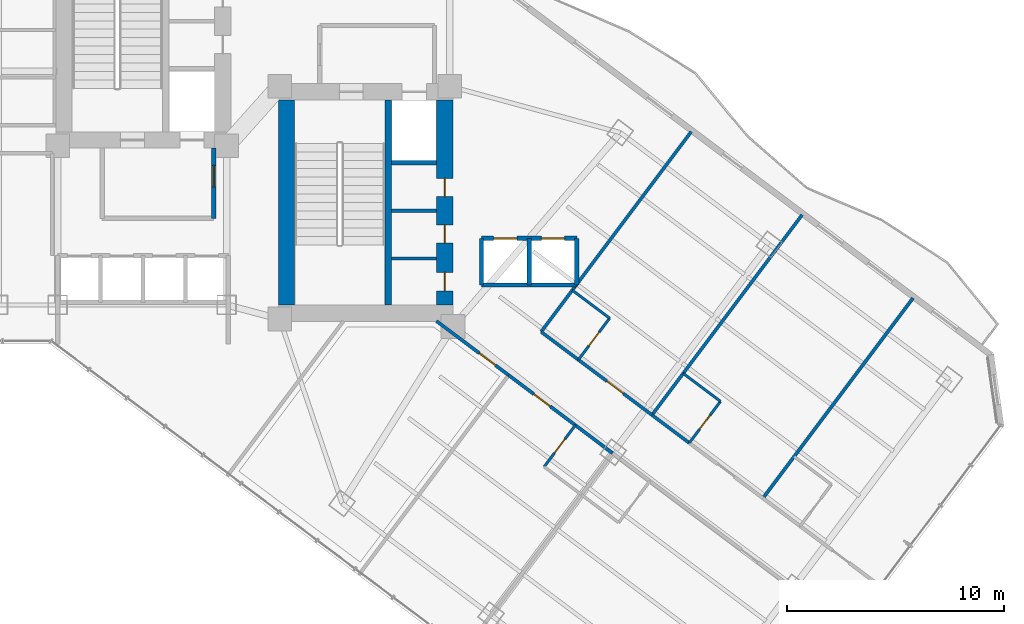
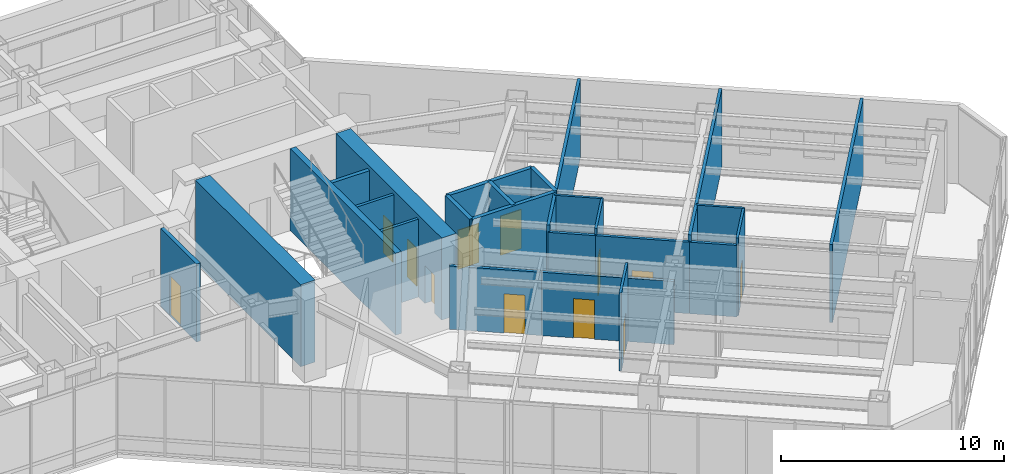
# One storey, part 17 of 27: 26 walls, 12 doors, 12 openings.
"""IFC4 building model written with IfcOpenShell, lengths in metres."""

import ifcopenshell
import ifcopenshell.guid

model = None  # the IFC model being written
_history = None  # IfcOwnerHistory: only IFC2X3 demands one
_inside = {}  # id of a spatial element -> (the spatial element, [elements in it])
_under = {}  # id of a project, library or spatial element -> (it, [spatial elements below it])
_declared = {}  # id of a project -> (the project, [libraries it declares])
_typed = {}  # id of a type object -> (the type object, [elements of that type])
_made_of = {}  # id of a material, layer set ... -> (it, [elements and type objects made of it])


def new_model(schema):
    """Start an empty IFC model of exactly this schema.

    Asked for "IFC4X3", IfcOpenShell would pick the latest addendum, in which some entities
    have other attributes; the version numbers below select the first issue.
    IFC2X3 requires an IfcOwnerHistory on every rooted entity: one is made here for all.
    """
    global model, _history
    if schema == "IFC4X3":
        model = ifcopenshell.file(schema_version=(4, 3, 0, 0))
    else:
        model = ifcopenshell.file(schema=schema)
    _inside.clear()
    _under.clear()
    _declared.clear()
    _typed.clear()
    _made_of.clear()
    _history = None
    if model.schema == "IFC2X3":
        org = make("IfcOrganization", Name="unknown")
        user = make(
            "IfcPersonAndOrganization",
            ThePerson=make("IfcPerson", FamilyName="unknown"),
            TheOrganization=org,
        )
        app = make(
            "IfcApplication",
            ApplicationDeveloper=org,
            Version="unknown",
            ApplicationFullName="unknown",
            ApplicationIdentifier="unknown",
        )
        _history = make(
            "IfcOwnerHistory",
            OwningUser=user,
            OwningApplication=app,
            ChangeAction="ADDED",
            CreationDate=0,
        )
    return model


def make(cls, **values):
    """One entity of the class cls with the attributes given. An attribute that is None is left unset."""
    return model.create_entity(
        cls, **{name: value for name, value in values.items() if value is not None}
    )


def rooted(cls, **values):
    """An entity with a GlobalId (a new one), such as an element, a storey or a relation."""
    return make(cls, GlobalId=ifcopenshell.guid.new(), OwnerHistory=_history, **values)


def si_unit(unit_type, name, prefix=None):
    """IfcSIUnit, for example si_unit("LENGTHUNIT", "METRE", prefix="MILLI")."""
    return make("IfcSIUnit", UnitType=unit_type, Prefix=prefix, Name=name)


def assignment(units):
    """IfcUnitAssignment: the units of a project."""
    return None if units is None else make("IfcUnitAssignment", Units=units)


def point(xyz):
    """IfcCartesianPoint."""
    return None if xyz is None else make("IfcCartesianPoint", Coordinates=xyz)


def direction(xyz):
    """IfcDirection."""
    return None if xyz is None else make("IfcDirection", DirectionRatios=xyz)


def frame(location, z_axis=None, x_axis=None):
    """IfcAxis2Placement3D, a coordinate frame: its origin and axes. An axis left out is left unset."""
    return make(
        "IfcAxis2Placement3D",
        Location=point(location),
        Axis=direction(z_axis),
        RefDirection=direction(x_axis),
    )


def frame_2d(location, x_axis=None):
    """IfcAxis2Placement2D, a coordinate frame in the plane: its origin and x axis."""
    return make(
        "IfcAxis2Placement2D", Location=point(location), RefDirection=direction(x_axis)
    )


def origin():
    """The frame at (0, 0, 0) with its axes left unset."""
    return frame((0.0, 0.0, 0.0))


def place(relative_to, where):
    """IfcLocalPlacement: puts the frame where relative to a parent placement (None: the world)."""
    return make(
        "IfcLocalPlacement", PlacementRelTo=relative_to, RelativePlacement=where
    )


def context(
    kind, dimensions, precision=None, world=None, true_north=None, identifier=None
):
    """IfcGeometricRepresentationContext, for example the 3D "Model" context."""
    return make(
        "IfcGeometricRepresentationContext",
        ContextIdentifier=identifier,
        ContextType=kind,
        CoordinateSpaceDimension=dimensions,
        Precision=precision,
        WorldCoordinateSystem=world,
        TrueNorth=true_north,
    )


def subcontext(parent, identifier, kind, view, scale=None):
    """IfcGeometricRepresentationSubContext, for example "Body" below "Model"."""
    return make(
        "IfcGeometricRepresentationSubContext",
        ContextIdentifier=identifier,
        ContextType=kind,
        ParentContext=parent,
        TargetScale=scale,
        TargetView=view,
    )


def project(units=None, contexts=None):
    """IfcProject with its units and contexts."""
    return rooted(
        "IfcProject",
        Name="project",
        RepresentationContexts=contexts,
        UnitsInContext=assignment(units),
    )


def spatial(cls, under=None, at=None, **own):
    """A site, building, storey or space (cls), placed at a placement, below another one or the project."""
    s = rooted(cls, ObjectPlacement=at, **own)
    if under is not None:
        _under.setdefault(under.id(), (under, []))[1].append(s)
    return s


def profile(cls, at=None, kind="AREA", **sizes):
    """A parametric profile (cls). Its sizes go by their IFC names, for example OverallWidth=200.0."""
    return make(cls, ProfileType=kind, Position=at, **sizes)


def rectangle(**sizes):
    """IfcRectangleProfileDef."""
    return profile("IfcRectangleProfileDef", **sizes)


def extrude(swept, where, along, depth):
    """IfcExtrudedAreaSolid: the profile swept, set in the frame where, extruded along a direction by depth."""
    return make(
        "IfcExtrudedAreaSolid",
        SweptArea=swept,
        Position=where,
        ExtrudedDirection=direction(along),
        Depth=depth,
    )


def shape(context_of_items, identifier, shape_type, items):
    """IfcShapeRepresentation: the items that make up one representation, for example the "Body"."""
    return make(
        "IfcShapeRepresentation",
        ContextOfItems=context_of_items,
        RepresentationIdentifier=identifier,
        RepresentationType=shape_type,
        Items=items,
    )


def material(Name=None, Category=None):
    """IfcMaterial."""
    return make("IfcMaterial", Name=Name, Category=Category)


def layer(
    of_material, thickness, ventilated=None, Name=None, Category=None, Priority=None
):
    """IfcMaterialLayer: one layer of a wall or slab, of a material (None: an air gap)."""
    return make(
        "IfcMaterialLayer",
        Material=of_material,
        LayerThickness=thickness,
        IsVentilated=ventilated,
        Name=Name,
        Category=Category,
        Priority=Priority,
    )


def layer_set(layers, Name=None):
    """IfcMaterialLayerSet."""
    return make("IfcMaterialLayerSet", MaterialLayers=layers, LayerSetName=Name)


def made_of(thing, what):
    """Note that an element or type object is made of a material, layer set ...; save() writes the relation."""
    if what is not None:
        _made_of.setdefault(what.id(), (what, []))[1].append(thing)
    return thing


def type_object(cls, material=None, **own):
    """A type object (cls), such as IfcWallType, which elements share."""
    return made_of(rooted(cls, **own), material)


def element(
    cls,
    number,
    at=None,
    inside=None,
    cuts=None,
    type_object=None,
    material=None,
    context=None,
    identifier="Body",
    shape_type=None,
    held_by="IfcProductDefinitionShape",
    body=None,
    shapes=None,
    **own,
):
    """One element of the class cls, such as IfcWall. Its Tag is "e" and its number.

    at: its placement. inside: the storey or other place that contains it. cuts: it is an
    opening in that element (IfcRelVoidsElement). A single representation is given by context,
    identifier, shape_type and body (its items); several are given by shapes. held_by: the class
    of the entity that holds the representations. save() writes the other relations.
    """
    e = rooted(cls, Tag="e%d" % number, ObjectPlacement=at, **own)
    if body is not None:
        shapes = [shape(context, identifier, shape_type, body)]
    if shapes is not None:
        e.Representation = make(held_by, Representations=shapes)
    if inside is not None:
        _inside.setdefault(inside.id(), (inside, []))[1].append(e)
    if cuts is not None:
        rooted(
            "IfcRelVoidsElement", RelatingBuildingElement=cuts, RelatedOpeningElement=e
        )
    if type_object is not None:
        _typed.setdefault(type_object.id(), (type_object, []))[1].append(e)
    return made_of(e, material)


def fill(opening, filler):
    """IfcRelFillsElement: the door or window that sits in an opening."""
    return rooted(
        "IfcRelFillsElement",
        RelatingOpeningElement=opening,
        RelatedBuildingElement=filler,
    )


def aggregate(whole, parts):
    """IfcRelAggregates: a whole, such as a stair, and the parts it consists of."""
    return rooted("IfcRelAggregates", RelatingObject=whole, RelatedObjects=parts)


def save(model, path):
    """Write the relations noted so far, then the file.

    IfcRelAggregates (storeys below a building ...), IfcRelContainedInSpatialStructure (elements
    in a storey), IfcRelDefinesByType, IfcRelAssociatesMaterial and IfcRelDeclares: one each for
    every whole, place, type object, material and project.
    """
    for whole, parts in _under.values():
        aggregate(whole, parts)
    for where, things in _inside.values():
        rooted(
            "IfcRelContainedInSpatialStructure",
            RelatedElements=things,
            RelatingStructure=where,
        )
    for kind, things in _typed.values():
        rooted("IfcRelDefinesByType", RelatedObjects=things, RelatingType=kind)
    for what, things in _made_of.values():
        rooted("IfcRelAssociatesMaterial", RelatedObjects=things, RelatingMaterial=what)
    for by, libraries in _declared.values():
        rooted("IfcRelDeclares", RelatingContext=by, RelatedDefinitions=libraries)
    model.write(path)


model = new_model("IFC4")

# Units and contexts
model_context = context("Model", 3, precision=1e-05, world=origin(), true_north=direction((0.0, 1.0)))
body_context = subcontext(model_context, "Body", "Model", "MODEL_VIEW")
ifc_project = project(units=[si_unit("LENGTHUNIT", "METRE"), si_unit("AREAUNIT", "SQUARE_METRE"), si_unit("VOLUMEUNIT", "CUBIC_METRE"), si_unit("PLANEANGLEUNIT", "RADIAN"), si_unit("MASSUNIT", "GRAM", prefix="KILO")], contexts=[model_context])

# Site, building, storey
site_placement = place(None, origin())
site = spatial("IfcSite", under=ifc_project, at=site_placement, CompositionType="ELEMENT")
building_placement = place(site_placement, origin())
building = spatial("IfcBuilding", under=site, at=building_placement, Name="Hatsunagi Terrace Concourse", CompositionType="ELEMENT")
storey_placement = place(building_placement, frame((0.0, 0.0, 70.10009765625)))
storey = spatial("IfcBuildingStorey", under=building, at=storey_placement, Name="L18", CompositionType="ELEMENT", Elevation=70.10009765625)

# Wall
ifc_material_1 = material(Name="Concrete Fc60", Category="concrete")
ifc_layer_1 = layer(ifc_material_1, 0.75)
ifc_layer_set_1 = layer_set([ifc_layer_1], Name="CoreShearWall_Fc60_750")
wall_type_1 = type_object("IfcWallType", Name="CoreShearWall_Fc60_750", PredefinedType="SHEAR", material=ifc_layer_set_1)
wall_1_placement = place(storey_placement, frame((36.114990234375, 25.18994140625, 0.0), z_axis=(0.0, 0.0, 1.0), x_axis=(0.0, 1.0, 0.0)))
element("IfcWall", 1, at=wall_1_placement, inside=storey, type_object=wall_type_1, Name="Core B Shear Wall W L18", PredefinedType="SHEAR", context=body_context, shape_type="SweptSolid", body=[
    extrude(rectangle(XDim=9.47998046875, YDim=0.75, at=frame_2d((4.739990234375, 0.0))), origin(), (0.0, 0.0, 1.0), 4.5),
])

# Wall, openings, doors
wall_2_placement = place(storey_placement, frame((43.425048828125, 25.18994140625, 0.0), z_axis=(0.0, 0.0, 1.0), x_axis=(0.0, 1.0, 0.0)))
wall_2 = element("IfcWall", 2, at=wall_2_placement, inside=storey, type_object=wall_type_1, Name="Core B Shear Wall E L18", PredefinedType="SHEAR", context=body_context, shape_type="SweptSolid", body=[
    extrude(rectangle(XDim=9.47998046875, YDim=0.75, at=frame_2d((4.739990234375, 0.0))), origin(), (0.0, 0.0, 1.0), 4.5),
])
opening_1_placement = place(wall_2_placement, frame((0.659912109375, 0.0, 0.0)))
opening_1 = element("IfcOpeningElement", 3, at=opening_1_placement, cuts=wall_2, Name="Opening DR-085", PredefinedType="OPENING", context=body_context, shape_type="SweptSolid", body=[
    extrude(rectangle(XDim=0.85009765625, YDim=2.080078125, at=frame_2d((0.425048828125, 1.0400390625))), frame((0.0, 0.385009765625, 0.0), z_axis=(0.0, -1.0, 0.0), x_axis=(1.0, 0.0, 0.0)), (0.0, 0.0, 1.0), 0.77001953125),
])
opening_2_placement = place(wall_2_placement, frame((2.860107421875, 0.0, 0.0)))
opening_2 = element("IfcOpeningElement", 4, at=opening_2_placement, cuts=wall_2, Name="Opening DR-085", PredefinedType="OPENING", context=body_context, shape_type="SweptSolid", body=[
    extrude(rectangle(XDim=0.85009765625, YDim=2.080078125, at=frame_2d((0.425048828125, 1.0400390625))), frame((0.0, 0.385009765625, 0.0), z_axis=(0.0, -1.0, 0.0), x_axis=(1.0, 0.0, 0.0)), (0.0, 0.0, 1.0), 0.77001953125),
])
opening_3_placement = place(wall_2_placement, frame((5.010009765625, 0.0, 0.0)))
opening_3 = element("IfcOpeningElement", 5, at=opening_3_placement, cuts=wall_2, Name="Opening DR-085", PredefinedType="OPENING", context=body_context, shape_type="SweptSolid", body=[
    extrude(rectangle(XDim=0.85009765625, YDim=2.080078125, at=frame_2d((0.425048828125, 1.0400390625))), frame((0.0, 0.385009765625, 0.0), z_axis=(0.0, -1.0, 0.0), x_axis=(1.0, 0.0, 0.0)), (0.0, 0.0, 1.0), 0.77001953125),
])
ifc_material_2 = material(Name="Painted steel", Category="steel")
door_type_1 = type_object("IfcDoorType", Name="RiserAccessDoor_EI60_850", OperationType="NOTDEFINED", PredefinedType="DOOR", material=ifc_material_2)
door_1_placement = place(opening_1_placement, origin())
door_1 = element("IfcDoor", 6, at=door_1_placement, inside=storey, type_object=door_type_1, Name="Core B Riser Door L18-1", OperationType="SINGLE_SWING_RIGHT", OverallHeight=2.080078125, OverallWidth=0.85009765625, PredefinedType="DOOR", context=body_context, shape_type="SweptSolid", body=[
    extrude(rectangle(XDim=0.85009765625, YDim=2.080078125, at=frame_2d((0.425048828125, 1.0400390625))), frame((0.0, 0.02490234375, 0.0), z_axis=(0.0, -1.0, 0.0), x_axis=(1.0, 0.0, 0.0)), (0.0, 0.0, 1.0), 0.050048828125),
])
fill(opening_1, door_1)
door_2_placement = place(opening_2_placement, origin())
door_2 = element("IfcDoor", 7, at=door_2_placement, inside=storey, type_object=door_type_1, Name="Core B Riser Door L18-2", OperationType="SINGLE_SWING_RIGHT", OverallHeight=2.080078125, OverallWidth=0.85009765625, PredefinedType="DOOR", context=body_context, shape_type="SweptSolid", body=[
    extrude(rectangle(XDim=0.85009765625, YDim=2.080078125, at=frame_2d((0.425048828125, 1.0400390625))), frame((0.0, 0.02490234375, 0.0), z_axis=(0.0, -1.0, 0.0), x_axis=(1.0, 0.0, 0.0)), (0.0, 0.0, 1.0), 0.050048828125),
])
fill(opening_2, door_2)
door_3_placement = place(opening_3_placement, origin())
door_3 = element("IfcDoor", 8, at=door_3_placement, inside=storey, type_object=door_type_1, Name="Core B Riser Door L18-3", OperationType="SINGLE_SWING_RIGHT", OverallHeight=2.080078125, OverallWidth=0.85009765625, PredefinedType="DOOR", context=body_context, shape_type="SweptSolid", body=[
    extrude(rectangle(XDim=0.85009765625, YDim=2.080078125, at=frame_2d((0.425048828125, 1.0400390625))), frame((0.0, 0.02490234375, 0.0), z_axis=(0.0, -1.0, 0.0), x_axis=(1.0, 0.0, 0.0)), (0.0, 0.0, 1.0), 0.050048828125),
])
fill(opening_3, door_3)

# Wall
ifc_material_3 = material(Name="Concrete Fc48", Category="concrete")
ifc_layer_2 = layer(ifc_material_3, 0.300048828125)
ifc_layer_set_2 = layer_set([ifc_layer_2], Name="CoreStairDivider_Fc48_300")
wall_type_2 = type_object("IfcWallType", Name="CoreStairDivider_Fc48_300", PredefinedType="SHEAR", material=ifc_layer_set_2)
wall_3_placement = place(storey_placement, frame((40.81005859375, 25.18994140625, 0.0), z_axis=(0.0, 0.0, 1.0), x_axis=(0.0, 1.0, 0.0)))
element("IfcWall", 9, at=wall_3_placement, inside=storey, type_object=wall_type_2, Name="Core B Shear Wall D L18", PredefinedType="SHEAR", context=body_context, shape_type="SweptSolid", body=[
    extrude(rectangle(XDim=9.47998046875, YDim=0.300048828125, at=frame_2d((4.739990234375, 0.0))), origin(), (0.0, 0.0, 1.0), 4.5),
])

# Wall, opening, door
ifc_material_4 = material(Name="Acoustic mineral board", Category="gypsum")
ifc_layer_3 = layer(ifc_material_4, 0.1201171875)
ifc_layer_set_3 = layer_set([ifc_layer_3], Name="PartitionWall_EI30_120")
wall_type_3 = type_object("IfcWallType", Name="PartitionWall_EI30_120", PredefinedType="PARTITIONING", material=ifc_layer_set_3)
wall_4_placement = place(storey_placement, frame((49.590087890625, 22.669921875, 0.0), z_axis=(0.0, 0.0, 1.0), x_axis=(0.599951172744, 0.800036618114, 0.0)))
wall_4 = element("IfcWall", 10, at=wall_4_placement, inside=storey, type_object=wall_type_3, Name="Interior Partition IW-L18-065", PredefinedType="PARTITIONING", context=body_context, shape_type="SweptSolid", body=[
    extrude(rectangle(XDim=2.400146484375, YDim=0.1201171875, at=frame_2d((1.2001953125, 0.0))), origin(), (0.0, 0.0, 1.0), 4.27978515625),
])
opening_4_placement = place(wall_4_placement, frame((0.800048828125, 0.0, 0.0)))
opening_4 = element("IfcOpeningElement", 11, at=opening_4_placement, cuts=wall_4, Name="Opening DR-080", PredefinedType="OPENING", context=body_context, shape_type="SweptSolid", body=[
    extrude(rectangle(XDim=0.800048828125, YDim=2.06005859375, at=frame_2d((0.39990234375, 1.030029296875))), frame((0.0, 0.070068359375, 0.0), z_axis=(0.0, -1.0, 0.0), x_axis=(1.0, 0.0, 0.0)), (0.0, 0.0, 1.0), 0.14013671875),
])
ifc_material_5 = material(Name="Hardwood timber", Category="wood")
door_type_2 = type_object("IfcDoorType", Name="BathroomDoor_800", OperationType="NOTDEFINED", PredefinedType="DOOR", material=ifc_material_5)
door_4_placement = place(opening_4_placement, origin())
door_4 = element("IfcDoor", 12, at=door_4_placement, inside=storey, type_object=door_type_2, Name="En-Suite Bathroom L18-SENE1 Door", OperationType="SINGLE_SWING_LEFT", OverallHeight=2.06005859375, OverallWidth=0.800048828125, PredefinedType="DOOR", context=body_context, shape_type="SweptSolid", body=[
    extrude(rectangle(XDim=0.800048828125, YDim=2.06005859375, at=frame_2d((0.39990234375, 1.030029296875))), frame((0.0, 0.02490234375, 0.0), z_axis=(0.0, -1.0, 0.0), x_axis=(1.0, 0.0, 0.0)), (0.0, 0.0, 1.0), 0.050048828125),
])
fill(opening_4, door_4)

# Wall
wall_5_placement = place(storey_placement, frame((49.31005859375, 25.8798828125, 0.0), z_axis=(0.0, 0.0, 1.0), x_axis=(0.800040880289, -0.59994548908, 0.0)))
element("IfcWall", 13, at=wall_5_placement, inside=storey, type_object=wall_type_3, Name="Interior Partition IW-L18-066", PredefinedType="PARTITIONING", context=body_context, shape_type="SweptSolid", body=[
    extrude(rectangle(XDim=2.14990234375, YDim=0.1201171875, at=frame_2d((1.074951171875, 0.0))), origin(), (0.0, 0.0, 1.0), 4.27978515625),
])

# Wall, opening, door
wall_6_placement = place(storey_placement, frame((54.7099609375, 18.830078125, 0.0), z_axis=(0.0, 0.0, 1.0), x_axis=(0.6, 0.8, 0.0)))
wall_6 = element("IfcWall", 14, at=wall_6_placement, inside=storey, type_object=wall_type_3, Name="Interior Partition IW-L18-071", PredefinedType="PARTITIONING", context=body_context, shape_type="SweptSolid", body=[
    extrude(rectangle(XDim=2.39990234375, YDim=0.1201171875, at=frame_2d((1.199951171875, 0.0))), origin(), (0.0, 0.0, 1.0), 4.27978515625),
])
opening_5_placement = place(wall_6_placement, frame((0.800048828125, 0.0, 0.0)))
opening_5 = element("IfcOpeningElement", 15, at=opening_5_placement, cuts=wall_6, Name="Opening DR-080", PredefinedType="OPENING", context=body_context, shape_type="SweptSolid", body=[
    extrude(rectangle(XDim=0.800048828125, YDim=2.06005859375, at=frame_2d((0.39990234375, 1.030029296875))), frame((0.0, 0.070068359375, 0.0), z_axis=(0.0, -1.0, 0.0), x_axis=(1.0, 0.0, 0.0)), (0.0, 0.0, 1.0), 0.14013671875),
])
door_5_placement = place(opening_5_placement, origin())
door_5 = element("IfcDoor", 16, at=door_5_placement, inside=storey, type_object=door_type_2, Name="En-Suite Bathroom L18-SENE2 Door", OperationType="SINGLE_SWING_RIGHT", OverallHeight=2.06005859375, OverallWidth=0.800048828125, PredefinedType="DOOR", context=body_context, shape_type="SweptSolid", body=[
    extrude(rectangle(XDim=0.800048828125, YDim=2.06005859375, at=frame_2d((0.39990234375, 1.030029296875))), frame((0.0, 0.02490234375, 0.0), z_axis=(0.0, -1.0, 0.0), x_axis=(1.0, 0.0, 0.0)), (0.0, 0.0, 1.0), 0.050048828125),
])
fill(opening_5, door_5)

# Wall
wall_7_placement = place(storey_placement, frame((54.429931640625, 22.0400390625, 0.0), z_axis=(0.0, 0.0, 1.0), x_axis=(0.79998637334, -0.60001816845, 0.0)))
element("IfcWall", 17, at=wall_7_placement, inside=storey, type_object=wall_type_3, Name="Interior Partition IW-L18-072", PredefinedType="PARTITIONING", context=body_context, shape_type="SweptSolid", body=[
    extrude(rectangle(XDim=2.14990234375, YDim=0.1201171875, at=frame_2d((1.074951171875, 0.0))), origin(), (0.0, 0.0, 1.0), 4.27978515625),
])

# Wall, opening, door
wall_8_placement = place(storey_placement, frame((48.010009765625, 17.72998046875, 0.0), z_axis=(0.0, 0.0, 1.0), x_axis=(0.6, 0.8, 0.0)))
wall_8 = element("IfcWall", 18, at=wall_8_placement, inside=storey, type_object=wall_type_3, Name="Interior Partition IW-L18-080", PredefinedType="PARTITIONING", context=body_context, shape_type="SweptSolid", body=[
    extrude(rectangle(XDim=2.39990234375, YDim=0.1201171875, at=frame_2d((1.199951171875, 0.0))), origin(), (0.0, 0.0, 1.0), 4.27978515625),
])
opening_6_placement = place(wall_8_placement, frame((0.800048828125, 0.0, 0.0)))
opening_6 = element("IfcOpeningElement", 19, at=opening_6_placement, cuts=wall_8, Name="Opening DR-080", PredefinedType="OPENING", context=body_context, shape_type="SweptSolid", body=[
    extrude(rectangle(XDim=0.800048828125, YDim=2.06005859375, at=frame_2d((0.39990234375, 1.030029296875))), frame((0.0, 0.070068359375, 0.0), z_axis=(0.0, -1.0, 0.0), x_axis=(1.0, 0.0, 0.0)), (0.0, 0.0, 1.0), 0.14013671875),
])
door_6_placement = place(opening_6_placement, origin())
door_6 = element("IfcDoor", 20, at=door_6_placement, inside=storey, type_object=door_type_2, Name="En-Suite Bathroom L18-SESW1 Door", OperationType="SINGLE_SWING_LEFT", OverallHeight=2.06005859375, OverallWidth=0.800048828125, PredefinedType="DOOR", context=body_context, shape_type="SweptSolid", body=[
    extrude(rectangle(XDim=0.800048828125, YDim=2.06005859375, at=frame_2d((0.39990234375, 1.030029296875))), frame((0.0, 0.02490234375, 0.0), z_axis=(0.0, -1.0, 0.0), x_axis=(1.0, 0.0, 0.0)), (0.0, 0.0, 1.0), 0.050048828125),
])
fill(opening_6, door_6)

# Walls
ifc_material_6 = material(Name="Acoustic mineral board", Category="gypsum")
ifc_layer_4 = layer(ifc_material_6, 0.14990234375)
ifc_layer_set_4 = layer_set([ifc_layer_4], Name="PartitionWall_EI60_150")
wall_type_4 = type_object("IfcWallType", Name="PartitionWall_EI60_150", PredefinedType="PARTITIONING", material=ifc_layer_set_4)
for number, where, z_axis, x_axis, name in (
    (21, (40.969970703125, 27.35009765625, 0.0), (0.0, 0.0, 1.0), (1.0, 0.0, 0.0), "Interior Partition IW-L18-005"),
    (22, (40.969970703125, 29.550048828125, 0.0), (0.0, 0.0, 1.0), (1.0, 0.0, 0.0), "Interior Partition IW-L18-006"),
):
    element("IfcWall", number, at=place(storey_placement, frame(where, z_axis=z_axis, x_axis=x_axis)), inside=storey, type_object=wall_type_4, Name=name, PredefinedType="PARTITIONING", context=body_context, shape_type="SweptSolid", body=[
        extrude(rectangle(XDim=2.080078125, YDim=0.14990234375, at=frame_2d((1.0400390625, 0.0))), origin(), (0.0, 0.0, 1.0), 4.27978515625),
    ])

# Wall, opening, door
wall_9_placement = place(storey_placement, frame((43.037109375, 24.4599609375, 0.0), z_axis=(0.0, 0.0, 1.0), x_axis=(0.799971872363, -0.600037501685, 0.0)))
wall_9 = element("IfcWall", 23, at=wall_9_placement, inside=storey, type_object=wall_type_4, Name="Interior Partition IW-L18-043", PredefinedType="PARTITIONING", context=body_context, shape_type="SweptSolid", body=[
    extrude(rectangle(XDim=4.16650390625, YDim=0.14990234375, at=frame_2d((2.083251953125, 0.0))), origin(), (0.0, 0.0, 1.0), 3.474853515625),
])
opening_7_placement = place(wall_9_placement, frame((2.468017578125, 0.0, 0.0)))
opening_7 = element("IfcOpeningElement", 24, at=opening_7_placement, cuts=wall_9, Name="Opening DR-095", PredefinedType="OPENING", context=body_context, shape_type="SweptSolid", body=[
    extrude(rectangle(XDim=0.949951171875, YDim=2.14990234375, at=frame_2d((0.47509765625, 1.074951171875))), frame((0.0, 0.0849609375, 0.0), z_axis=(0.0, -1.0, 0.0), x_axis=(1.0, 0.0, 0.0)), (0.0, 0.0, 1.0), 0.169921875),
])
ifc_material_7 = material(Name="Hardwood timber", Category="wood")
door_type_3 = type_object("IfcDoorType", Name="InteriorSuiteDoor_EI30_950", OperationType="NOTDEFINED", PredefinedType="DOOR", material=ifc_material_7)
door_7_placement = place(opening_7_placement, origin())
door_7 = element("IfcDoor", 25, at=door_7_placement, inside=storey, type_object=door_type_3, Name="Meeting Room L18-HMTG Door", OperationType="SINGLE_SWING_RIGHT", OverallHeight=2.14990234375, OverallWidth=0.949951171875, PredefinedType="DOOR", context=body_context, shape_type="SweptSolid", body=[
    extrude(rectangle(XDim=0.949951171875, YDim=2.14990234375, at=frame_2d((0.47509765625, 1.074951171875))), frame((0.0, 0.02490234375, 0.0), z_axis=(0.0, -1.0, 0.0), x_axis=(1.0, 0.0, 0.0)), (0.0, 0.0, 1.0), 0.050048828125),
])
fill(opening_7, door_7)

# Wall
wall_10_placement = place(storey_placement, frame((47.8701171875, 23.9599609375, 0.0), z_axis=(0.0, 0.0, 1.0), x_axis=(0.79998637334, -0.60001816845, 0.0)))
element("IfcWall", 26, at=wall_10_placement, inside=storey, type_object=wall_type_4, Name="Interior Partition IW-L18-063", PredefinedType="PARTITIONING", context=body_context, shape_type="SweptSolid", body=[
    extrude(rectangle(XDim=2.14990234375, YDim=0.14990234375, at=frame_2d((1.074951171875, 0.0))), origin(), (0.0, 0.0, 1.0), 3.9248046875),
])

# Wall, opening, door
wall_11_placement = place(storey_placement, frame((49.590087890625, 22.669921875, 0.0), z_axis=(0.0, 0.0, 1.0), x_axis=(0.800013787187, -0.599981616644, 0.0)))
wall_11 = element("IfcWall", 27, at=wall_11_placement, inside=storey, type_object=wall_type_4, Name="Interior Partition IW-L18-064", PredefinedType="PARTITIONING", context=body_context, shape_type="SweptSolid", body=[
    extrude(rectangle(XDim=4.249755859375, YDim=0.14990234375, at=frame_2d((2.125, 0.0))), origin(), (0.0, 0.0, 1.0), 3.9248046875),
])
opening_8_placement = place(wall_11_placement, frame((1.64990234375, 0.0, 0.0)))
opening_8 = element("IfcOpeningElement", 28, at=opening_8_placement, cuts=wall_11, Name="Opening DR-095", PredefinedType="OPENING", context=body_context, shape_type="SweptSolid", body=[
    extrude(rectangle(XDim=0.949951171875, YDim=2.14990234375, at=frame_2d((0.47509765625, 1.074951171875))), frame((0.0, 0.0849609375, 0.0), z_axis=(0.0, -1.0, 0.0), x_axis=(1.0, 0.0, 0.0)), (0.0, 0.0, 1.0), 0.169921875),
])
door_8_placement = place(opening_8_placement, origin())
door_8 = element("IfcDoor", 29, at=door_8_placement, inside=storey, type_object=door_type_3, Name="Hotel Guest Room L18-SENE1 Door", OperationType="SINGLE_SWING_LEFT", OverallHeight=2.14990234375, OverallWidth=0.949951171875, PredefinedType="DOOR", context=body_context, shape_type="SweptSolid", body=[
    extrude(rectangle(XDim=0.949951171875, YDim=2.14990234375, at=frame_2d((0.47509765625, 1.074951171875))), frame((0.0, 0.02490234375, 0.0), z_axis=(0.0, -1.0, 0.0), x_axis=(1.0, 0.0, 0.0)), (0.0, 0.0, 1.0), 0.050048828125),
])
fill(opening_8, door_8)

# Walls
for number, where, z_axis, x_axis, name in (
    (30, (47.8701171875, 23.9599609375, 0.0), (0.0, 0.0, 1.0), (0.599996617946, 0.80000253653, 0.0), "Interior Partition IW-L18-067"),
    (31, (52.989990234375, 20.1201171875, 0.0), (0.0, 0.0, 1.0), (0.599996617946, 0.80000253653, 0.0), "Interior Partition IW-L18-068"),
):
    element("IfcWall", number, at=place(storey_placement, frame(where, z_axis=z_axis, x_axis=x_axis)), inside=storey, type_object=wall_type_4, Name=name, PredefinedType="PARTITIONING", context=body_context, shape_type="SweptSolid", body=[
        extrude(rectangle(XDim=11.550048828125, YDim=0.14990234375, at=frame_2d((5.77490234375, 0.0))), origin(), (0.0, 0.0, 1.0), 4.27978515625),
    ])
wall_12_placement = place(storey_placement, frame((52.989990234375, 20.1201171875, 0.0), z_axis=(0.0, 0.0, 1.0), x_axis=(0.79998637334, -0.60001816845, 0.0)))
element("IfcWall", 32, at=wall_12_placement, inside=storey, type_object=wall_type_4, Name="Interior Partition IW-L18-069", PredefinedType="PARTITIONING", context=body_context, shape_type="SweptSolid", body=[
    extrude(rectangle(XDim=2.14990234375, YDim=0.14990234375, at=frame_2d((1.074951171875, 0.0))), origin(), (0.0, 0.0, 1.0), 3.9248046875),
])
wall_13_placement = place(storey_placement, frame((58.110107421875, 16.280029296875, 0.0), z_axis=(0.0, 0.0, 1.0), x_axis=(0.599996617946, 0.80000253653, 0.0)))
element("IfcWall", 33, at=wall_13_placement, inside=storey, type_object=wall_type_4, Name="Interior Partition IW-L18-073", PredefinedType="PARTITIONING", context=body_context, shape_type="SweptSolid", body=[
    extrude(rectangle(XDim=11.550048828125, YDim=0.14990234375, at=frame_2d((5.77490234375, 0.0))), origin(), (0.0, 0.0, 1.0), 4.27978515625),
])

# Wall, opening, door
wall_14_placement = place(storey_placement, frame((46.3701171875, 21.9599609375, 0.0), z_axis=(0.0, 0.0, 1.0), x_axis=(0.799977170108, -0.600030438649, 0.0)))
wall_14 = element("IfcWall", 34, at=wall_14_placement, inside=storey, type_object=wall_type_4, Name="Interior Partition IW-L18-078", PredefinedType="PARTITIONING", context=body_context, shape_type="SweptSolid", body=[
    extrude(rectangle(XDim=3.849853515625, YDim=0.14990234375, at=frame_2d((1.9248046875, 0.0))), origin(), (0.0, 0.0, 1.0), 3.474853515625),
])
opening_9_placement = place(wall_14_placement, frame((1.449951171875, 0.0, 0.0)))
opening_9 = element("IfcOpeningElement", 35, at=opening_9_placement, cuts=wall_14, Name="Opening DR-095", PredefinedType="OPENING", context=body_context, shape_type="SweptSolid", body=[
    extrude(rectangle(XDim=0.949951171875, YDim=2.14990234375, at=frame_2d((0.47509765625, 1.074951171875))), frame((0.0, 0.0849609375, 0.0), z_axis=(0.0, -1.0, 0.0), x_axis=(1.0, 0.0, 0.0)), (0.0, 0.0, 1.0), 0.169921875),
])
door_9_placement = place(opening_9_placement, origin())
door_9 = element("IfcDoor", 36, at=door_9_placement, inside=storey, type_object=door_type_3, Name="Hotel Guest Room L18-SESW1 Door", OperationType="SINGLE_SWING_RIGHT", OverallHeight=2.14990234375, OverallWidth=0.949951171875, PredefinedType="DOOR", context=body_context, shape_type="SweptSolid", body=[
    extrude(rectangle(XDim=0.949951171875, YDim=2.14990234375, at=frame_2d((0.47509765625, 1.074951171875))), frame((0.0, 0.02490234375, 0.0), z_axis=(0.0, -1.0, 0.0), x_axis=(1.0, 0.0, 0.0)), (0.0, 0.0, 1.0), 0.050048828125),
])
fill(opening_9, door_9)

# Walls
wall_15_placement = place(storey_placement, frame((49.449951171875, 19.64990234375, 0.0), z_axis=(0.0, 0.0, 1.0), x_axis=(0.800040880289, -0.59994548908, 0.0)))
element("IfcWall", 37, at=wall_15_placement, inside=storey, type_object=wall_type_4, Name="Interior Partition IW-L18-079", PredefinedType="PARTITIONING", context=body_context, shape_type="SweptSolid", body=[
    extrude(rectangle(XDim=2.14990234375, YDim=0.14990234375, at=frame_2d((1.074951171875, 0.0))), origin(), (0.0, 0.0, 1.0), 3.474853515625),
])
ifc_material_8 = material(Name="Acoustic mineral board", Category="gypsum")
ifc_layer_5 = layer(ifc_material_8, 0.199951171875)
ifc_layer_set_5 = layer_set([ifc_layer_5], Name="ShaftWall_EI120_200")
wall_type_5 = type_object("IfcWallType", Name="ShaftWall_EI120_200", PredefinedType="STANDARD", material=ifc_layer_set_5)
wall_16_placement = place(storey_placement, frame((40.969970703125, 31.760009765625, 0.0), z_axis=(0.0, 0.0, 1.0), x_axis=(1.0, 0.0, 0.0)))
element("IfcWall", 38, at=wall_16_placement, inside=storey, type_object=wall_type_5, Name="Interior Partition IW-L18-004", PredefinedType="STANDARD", context=body_context, shape_type="SweptSolid", body=[
    extrude(rectangle(XDim=2.080078125, YDim=0.199951171875, at=frame_2d((1.0400390625, 0.0))), origin(), (0.0, 0.0, 1.0), 4.27978515625),
])

# Wall, opening, door
wall_17_placement = place(storey_placement, frame((32.75, 29.199951171875, 0.0), z_axis=(0.0, 0.0, 1.0), x_axis=(0.0, 1.0, 0.0)))
wall_17 = element("IfcWall", 39, at=wall_17_placement, inside=storey, type_object=wall_type_5, Name="Interior Partition IW-L18-009", PredefinedType="STANDARD", context=body_context, shape_type="SweptSolid", body=[
    extrude(rectangle(XDim=3.239990234375, YDim=0.199951171875, at=frame_2d((1.6201171875, 0.0))), origin(), (0.0, 0.0, 1.0), 4.27978515625),
])
opening_10_placement = place(wall_17_placement, frame((1.449951171875, 0.0, 0.0)))
opening_10 = element("IfcOpeningElement", 40, at=opening_10_placement, cuts=wall_17, Name="Opening DR-100F", PredefinedType="OPENING", context=body_context, shape_type="SweptSolid", body=[
    extrude(rectangle(XDim=1.0, YDim=2.199951171875, at=frame_2d((0.5, 1.10009765625))), frame((0.0, 0.10986328125, 0.0), z_axis=(0.0, -1.0, 0.0), x_axis=(1.0, 0.0, 0.0)), (0.0, 0.0, 1.0), 0.219970703125),
])
ifc_material_9 = material(Name="Painted steel", Category="steel")
door_type_4 = type_object("IfcDoorType", Name="FireDoor_EI60_1000", OperationType="NOTDEFINED", PredefinedType="DOOR", material=ifc_material_9)
door_10_placement = place(opening_10_placement, origin())
door_10 = element("IfcDoor", 41, at=door_10_placement, inside=storey, type_object=door_type_4, Name="Firefighting Lobby A Door L18", OperationType="SINGLE_SWING_RIGHT", OverallHeight=2.199951171875, OverallWidth=1.0, PredefinedType="DOOR", context=body_context, shape_type="SweptSolid", body=[
    extrude(rectangle(XDim=1.0, YDim=2.199951171875, at=frame_2d((0.5, 1.10009765625))), frame((0.0, 0.02490234375, 0.0), z_axis=(0.0, -1.0, 0.0), x_axis=(1.0, 0.0, 0.0)), (0.0, 0.0, 1.0), 0.050048828125),
])
fill(opening_10, door_10)

# Walls
wall_18_placement = place(storey_placement, frame((45.1201171875, 26.1201171875, 0.0), z_axis=(0.0, 0.0, 1.0), x_axis=(1.0, 0.0, 0.0)))
element("IfcWall", 42, at=wall_18_placement, inside=storey, type_object=wall_type_5, Name="Interior Partition IW-L18-026", PredefinedType="STANDARD", context=body_context, shape_type="SweptSolid", body=[
    extrude(rectangle(XDim=4.39990234375, YDim=0.199951171875, at=frame_2d((2.199951171875, 0.0))), origin(), (0.0, 0.0, 1.0), 4.27978515625),
])
for number, where, z_axis, x_axis, name in (
    (43, (45.1201171875, 26.1201171875, 0.0), (0.0, 0.0, 1.0), (0.0, 1.0, 0.0), "Interior Partition IW-L18-027"),
    (44, (49.52001953125, 26.1201171875, 0.0), (0.0, 0.0, 1.0), (0.0, 1.0, 0.0), "Interior Partition IW-L18-028"),
    (45, (47.320068359375, 26.1201171875, 0.0), (0.0, 0.0, 1.0), (0.0, 1.0, 0.0), "Interior Partition IW-L18-029"),
):
    element("IfcWall", number, at=place(storey_placement, frame(where, z_axis=z_axis, x_axis=x_axis)), inside=storey, type_object=wall_type_5, Name=name, PredefinedType="STANDARD", context=body_context, shape_type="SweptSolid", body=[
        extrude(rectangle(XDim=2.159912109375, YDim=0.199951171875, at=frame_2d((1.080078125, 0.0))), origin(), (0.0, 0.0, 1.0), 4.27978515625),
    ])

# Wall, openings, doors
wall_19_placement = place(storey_placement, frame((45.1201171875, 28.280029296875, 0.0), z_axis=(0.0, 0.0, 1.0), x_axis=(1.0, 0.0, 0.0)))
wall_19 = element("IfcWall", 46, at=wall_19_placement, inside=storey, type_object=wall_type_5, Name="Interior Partition IW-L18-030", PredefinedType="STANDARD", context=body_context, shape_type="SweptSolid", body=[
    extrude(rectangle(XDim=4.39990234375, YDim=0.199951171875, at=frame_2d((2.199951171875, 0.0))), origin(), (0.0, 0.0, 1.0), 4.27978515625),
])
opening_11_placement = place(wall_19_placement, frame((0.56005859375, 0.0, 0.0)))
opening_11 = element("IfcOpeningElement", 47, at=opening_11_placement, cuts=wall_19, Name="Opening LD-03", PredefinedType="OPENING", context=body_context, shape_type="SweptSolid", body=[
    extrude(rectangle(XDim=1.080078125, YDim=2.14990234375, at=frame_2d((0.5400390625, 1.074951171875))), frame((0.0, 0.10986328125, 0.0), z_axis=(0.0, -1.0, 0.0), x_axis=(1.0, 0.0, 0.0)), (0.0, 0.0, 1.0), 0.219970703125),
])
opening_12_placement = place(wall_19_placement, frame((2.760009765625, 0.0, 0.0)))
opening_12 = element("IfcOpeningElement", 48, at=opening_12_placement, cuts=wall_19, Name="Opening LD-03", PredefinedType="OPENING", context=body_context, shape_type="SweptSolid", body=[
    extrude(rectangle(XDim=1.080078125, YDim=2.14990234375, at=frame_2d((0.5400390625, 1.074951171875))), frame((0.0, 0.10986328125, 0.0), z_axis=(0.0, -1.0, 0.0), x_axis=(1.0, 0.0, 0.0)), (0.0, 0.0, 1.0), 0.219970703125),
])
ifc_material_10 = material(Name="Stainless steel", Category="steel")
door_type_5 = type_object("IfcDoorType", Name="LiftLandingDoor_LD03", OperationType="SLIDING_TO_LEFT", PredefinedType="USERDEFINED", material=ifc_material_10)
door_11_placement = place(opening_11_placement, origin())
door_11 = element("IfcDoor", 49, at=door_11_placement, inside=storey, type_object=door_type_5, Name="Lift landing door PL-09 L18", ObjectType="SLIDING_LANDING_DOOR", OperationType="SLIDING_TO_LEFT", OverallHeight=2.14990234375, OverallWidth=1.080078125, PredefinedType="USERDEFINED", context=body_context, shape_type="SweptSolid", body=[
    extrude(rectangle(XDim=1.080078125, YDim=2.14990234375, at=frame_2d((0.5400390625, 1.074951171875))), frame((0.0, 0.02490234375, 0.0), z_axis=(0.0, -1.0, 0.0), x_axis=(1.0, 0.0, 0.0)), (0.0, 0.0, 1.0), 0.050048828125),
])
fill(opening_11, door_11)
door_12_placement = place(opening_12_placement, origin())
door_12 = element("IfcDoor", 50, at=door_12_placement, inside=storey, type_object=door_type_5, Name="Lift landing door PL-10 L18", ObjectType="SLIDING_LANDING_DOOR", OperationType="SLIDING_TO_LEFT", OverallHeight=2.14990234375, OverallWidth=1.080078125, PredefinedType="USERDEFINED", context=body_context, shape_type="SweptSolid", body=[
    extrude(rectangle(XDim=1.080078125, YDim=2.14990234375, at=frame_2d((0.5400390625, 1.074951171875))), frame((0.0, 0.02490234375, 0.0), z_axis=(0.0, -1.0, 0.0), x_axis=(1.0, 0.0, 0.0)), (0.0, 0.0, 1.0), 0.050048828125),
])
fill(opening_12, door_12)

save(model, "model.ifc")
